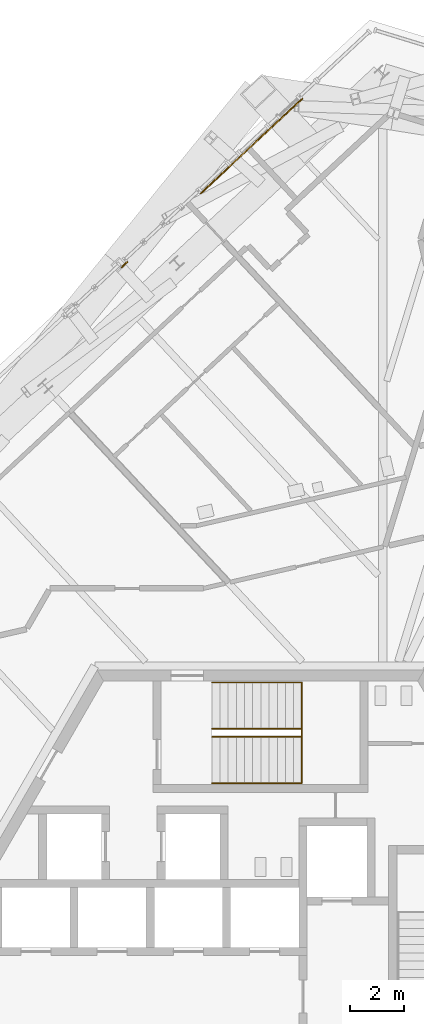
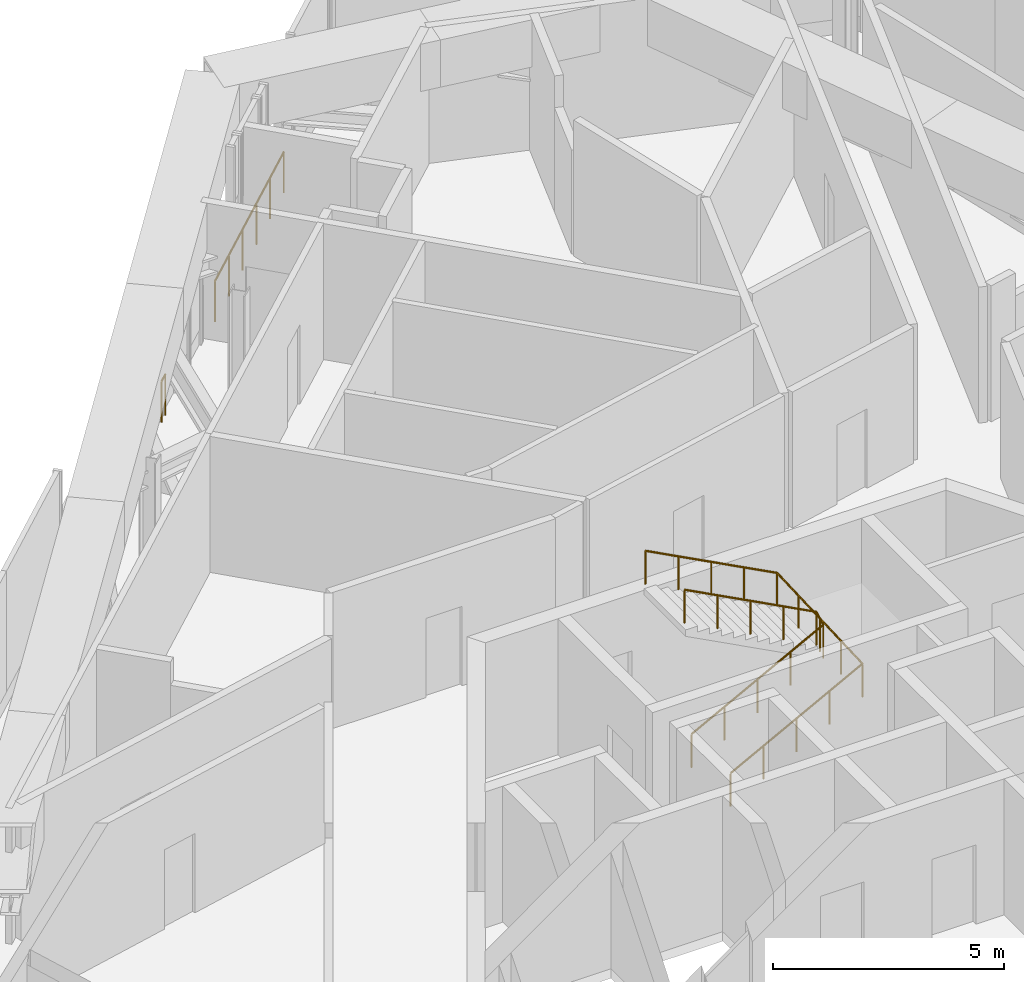
# One storey, part 30 of 31: 4 railings.
"""IFC4 building model written with IfcOpenShell, lengths in metres."""

from ifc_helpers import new_model, si_unit, direction, frame, origin, origin_2d, place, context, subcontext, project, spatial, circle, extrude, source, transform, mapped, material, type_object, element, save


model = new_model("IFC4")

# Units and contexts
model_context = context("Model", 3, precision=1e-05, world=origin(), true_north=direction((0.0, 1.0)))
body_context = subcontext(model_context, "Body", "Model", "MODEL_VIEW")
ifc_project = project(units=[si_unit("LENGTHUNIT", "METRE"), si_unit("AREAUNIT", "SQUARE_METRE"), si_unit("VOLUMEUNIT", "CUBIC_METRE"), si_unit("PLANEANGLEUNIT", "RADIAN"), si_unit("MASSUNIT", "GRAM", prefix="KILO")], contexts=[model_context])

# Site, building, storey
site_placement = place(None, origin())
site = spatial("IfcSite", under=ifc_project, at=site_placement, CompositionType="ELEMENT")
building_placement = place(site_placement, origin())
building = spatial("IfcBuilding", under=site, at=building_placement, Name="Triune Harvest Tower", CompositionType="ELEMENT")
storey_placement = place(building_placement, frame((0.0, 0.0, 134.300048828125)))
storey = spatial("IfcBuildingStorey", under=building, at=storey_placement, Name="L34", CompositionType="ELEMENT", Elevation=134.300048828125)

# Railings
ifc_material_1 = material(Name="Glass", Category="glass")
railing_type_1 = type_object("IfcRailingType", Name="GD-3 facade guard 1100", PredefinedType="GUARDRAIL", material=ifc_material_1)
railing_1_placement = place(storey_placement, frame((1.52734375, 31.369140625, 0.0)))
element("IfcRailing", 1, at=railing_1_placement, inside=storey, type_object=railing_type_1, Name="Facade guard B3-F3 L34.1.1", PredefinedType="GUARDRAIL", context=body_context, shape_type="SweptSolid", body=[
    extrude(circle(Radius=0.02392578125, at=origin_2d()), frame((0.0, 0.0, 1.076171875), z_axis=(-0.731337052234, -0.682016213905, 0.0), x_axis=(0.682016213905, -0.731337052234, 0.0)), (0.0, 0.0, 1.0), 5.0986328125),
    extrude(circle(Radius=0.02099609375, at=origin_2d()), origin(), (0.0, 0.0, 1.0), 1.052001953125),
    extrude(circle(Radius=0.02099609375, at=origin_2d()), frame((-0.745849609375, -0.695556640625, 0.0)), (0.0, 0.0, 1.0), 1.052001953125),
    extrude(circle(Radius=0.02099609375, at=origin_2d()), frame((-1.491455078125, -1.390869140625, 0.0)), (0.0, 0.0, 1.0), 1.052001953125),
    extrude(circle(Radius=0.02099609375, at=origin_2d()), frame((-2.2373046875, -2.08642578125, 0.0)), (0.0, 0.0, 1.0), 1.052001953125),
    extrude(circle(Radius=0.02099609375, at=origin_2d()), frame((-2.98291015625, -2.78173828125, 0.0)), (0.0, 0.0, 1.0), 1.052001953125),
    extrude(circle(Radius=0.02099609375, at=origin_2d()), frame((-3.728759765625, -3.477294921875, 0.0)), (0.0, 0.0, 1.0), 1.052001953125),
])
railing_2_placement = place(storey_placement, frame((-4.90283203125, 25.372802734375, 0.0)))
element("IfcRailing", 2, at=railing_2_placement, inside=storey, type_object=railing_type_1, Name="Facade guard B3-F3 L34.1.2", PredefinedType="GUARDRAIL", context=body_context, shape_type="SweptSolid", body=[
    extrude(circle(Radius=0.02392578125, at=origin_2d()), frame((0.0, 0.0, 1.076171875), z_axis=(-0.731236710001, -0.682123796643, 0.0), x_axis=(0.682123796643, -0.731236710001, 0.0)), (0.0, 0.0, 1.0), 0.2685546875),
    extrude(circle(Radius=0.02099609375, at=origin_2d()), origin(), (0.0, 0.0, 1.0), 1.052001953125),
    extrude(circle(Radius=0.02099609375, at=origin_2d()), frame((-0.1962890625, -0.18310546875, 0.0)), (0.0, 0.0, 1.0), 1.052001953125),
])
ifc_material_2 = material(Name="Stainless steel AISI 316", Category="steel")
railing_type_2 = type_object("IfcRailingType", Name="Stair handrail", PredefinedType="HANDRAIL", material=ifc_material_2)
shared_shape_1 = source(origin(), body_context, "Body", "SweptSolid", [
    extrude(circle(Radius=0.02392578125, at=origin_2d()), frame((0.0, 0.0, 0.8759765625), z_axis=(0.884384002621, 0.0, 0.466760041037), x_axis=(0.0, 1.0, 0.0)), (0.0, 0.0, 1.0), 3.7314453125),
    extrude(circle(Radius=0.02392578125, at=origin_2d()), frame((3.300048828125, 0.0, 2.61767578125), z_axis=(0.0, 0.999084305352, 0.0427849366), x_axis=(-1.0, 0.0, 0.0)), (0.0, 0.0, 1.0), 3.703369140625),
    extrude(circle(Radius=0.02392578125, at=origin_2d()), frame((3.300048828125, 3.699951171875, 2.77587890625), z_axis=(-0.884384002621, 0.0, 0.466760041037), x_axis=(0.0, -1.0, 0.0)), (0.0, 0.0, 1.0), 3.7314453125),
    extrude(circle(Radius=0.02099609375, at=origin_2d()), origin(), (0.0, 0.0, 1.0), 0.851806640625),
    extrude(circle(Radius=0.02099609375, at=origin_2d()), frame((0.824951171875, 0.0, 0.435546875)), (0.0, 0.0, 1.0), 0.851806640625),
    extrude(circle(Radius=0.02099609375, at=origin_2d()), frame((1.64990234375, 0.0, 0.870849609375)), (0.0, 0.0, 1.0), 0.851806640625),
    extrude(circle(Radius=0.02099609375, at=origin_2d()), frame((2.47509765625, 0.0, 1.30615234375)), (0.0, 0.0, 1.0), 0.851806640625),
    extrude(circle(Radius=0.02099609375, at=origin_2d()), frame((3.300048828125, 0.0, 1.74169921875)), (0.0, 0.0, 1.0), 0.851806640625),
    extrude(circle(Radius=0.02099609375, at=origin_2d()), frame((3.300048828125, 0.925048828125, 1.78125)), (0.0, 0.0, 1.0), 0.851806640625),
    extrude(circle(Radius=0.02099609375, at=origin_2d()), frame((3.300048828125, 1.85009765625, 1.82080078125)), (0.0, 0.0, 1.0), 0.851806640625),
    extrude(circle(Radius=0.02099609375, at=origin_2d()), frame((3.300048828125, 2.77490234375, 1.860595703125)), (0.0, 0.0, 1.0), 0.851806640625),
    extrude(circle(Radius=0.02099609375, at=origin_2d()), frame((3.300048828125, 3.699951171875, 1.900146484375)), (0.0, 0.0, 1.0), 0.851806640625),
    extrude(circle(Radius=0.02099609375, at=origin_2d()), frame((2.47509765625, 3.699951171875, 2.33544921875)), (0.0, 0.0, 1.0), 0.851806640625),
    extrude(circle(Radius=0.02099609375, at=origin_2d()), frame((1.64990234375, 3.699951171875, 2.77099609375)), (0.0, 0.0, 1.0), 0.851806640625),
    extrude(circle(Radius=0.02099609375, at=origin_2d()), frame((0.824951171875, 3.699951171875, 3.20654296875)), (0.0, 0.0, 1.0), 0.851806640625),
    extrude(circle(Radius=0.02099609375, at=origin_2d()), frame((0.0, 3.699951171875, 3.641845703125)), (0.0, 0.0, 1.0), 0.851806640625),
])
railing_3_placement = place(storey_placement, frame((-1.7900390625, 6.239990234375, 0.158203125)))
element("IfcRailing", 3, at=railing_3_placement, inside=storey, type_object=railing_type_2, Name="Exit stair north wall handrail", PredefinedType="HANDRAIL", context=body_context, shape_type="MappedRepresentation", body=[
    mapped(shared_shape_1, transform((0.0, 0.0, 0.0), scale=1.0)),
])
shared_shape_2 = source(origin(), body_context, "Body", "SweptSolid", [
    extrude(circle(Radius=0.02392578125, at=origin_2d()), frame((0.0, 0.0, 0.8759765625), z_axis=(0.884384002621, 0.0, 0.466760041037), x_axis=(0.0, 1.0, 0.0)), (0.0, 0.0, 1.0), 3.7314453125),
    extrude(circle(Radius=0.02392578125, at=origin_2d()), frame((3.300048828125, 0.0, 2.61767578125), z_axis=(0.0, 0.884277476085, 0.46696182423), x_axis=(-1.0, 0.0, 0.0)), (0.0, 0.0, 1.0), 0.33935546875),
    extrude(circle(Radius=0.02392578125, at=origin_2d()), frame((3.300048828125, 0.300048828125, 2.77587890625), z_axis=(-0.884384002621, 0.0, 0.466760041037), x_axis=(0.0, -1.0, 0.0)), (0.0, 0.0, 1.0), 3.7314453125),
    extrude(circle(Radius=0.02099609375, at=origin_2d()), origin(), (0.0, 0.0, 1.0), 0.851806640625),
    extrude(circle(Radius=0.02099609375, at=origin_2d()), frame((0.824951171875, 0.0, 0.435546875)), (0.0, 0.0, 1.0), 0.851806640625),
    extrude(circle(Radius=0.02099609375, at=origin_2d()), frame((1.64990234375, 0.0, 0.870849609375)), (0.0, 0.0, 1.0), 0.851806640625),
    extrude(circle(Radius=0.02099609375, at=origin_2d()), frame((2.47509765625, 0.0, 1.30615234375)), (0.0, 0.0, 1.0), 0.851806640625),
    extrude(circle(Radius=0.02099609375, at=origin_2d()), frame((3.300048828125, 0.0, 1.74169921875)), (0.0, 0.0, 1.0), 0.851806640625),
    extrude(circle(Radius=0.02099609375, at=origin_2d()), frame((3.300048828125, 0.300048828125, 1.900146484375)), (0.0, 0.0, 1.0), 0.851806640625),
    extrude(circle(Radius=0.02099609375, at=origin_2d()), frame((2.47509765625, 0.300048828125, 2.33544921875)), (0.0, 0.0, 1.0), 0.851806640625),
    extrude(circle(Radius=0.02099609375, at=origin_2d()), frame((1.64990234375, 0.300048828125, 2.77099609375)), (0.0, 0.0, 1.0), 0.851806640625),
    extrude(circle(Radius=0.02099609375, at=origin_2d()), frame((0.824951171875, 0.300048828125, 3.20654296875)), (0.0, 0.0, 1.0), 0.851806640625),
    extrude(circle(Radius=0.02099609375, at=origin_2d()), frame((0.0, 0.300048828125, 3.641845703125)), (0.0, 0.0, 1.0), 0.851806640625),
])
railing_4_placement = place(storey_placement, frame((-1.7900390625, 7.93994140625, 0.158203125)))
element("IfcRailing", 4, at=railing_4_placement, inside=storey, type_object=railing_type_2, Name="Exit stair north centre handrail", PredefinedType="HANDRAIL", context=body_context, shape_type="MappedRepresentation", body=[
    mapped(shared_shape_2, transform((0.0, 0.0, 0.0), scale=1.0)),
])

save(model, "model.ifc")
